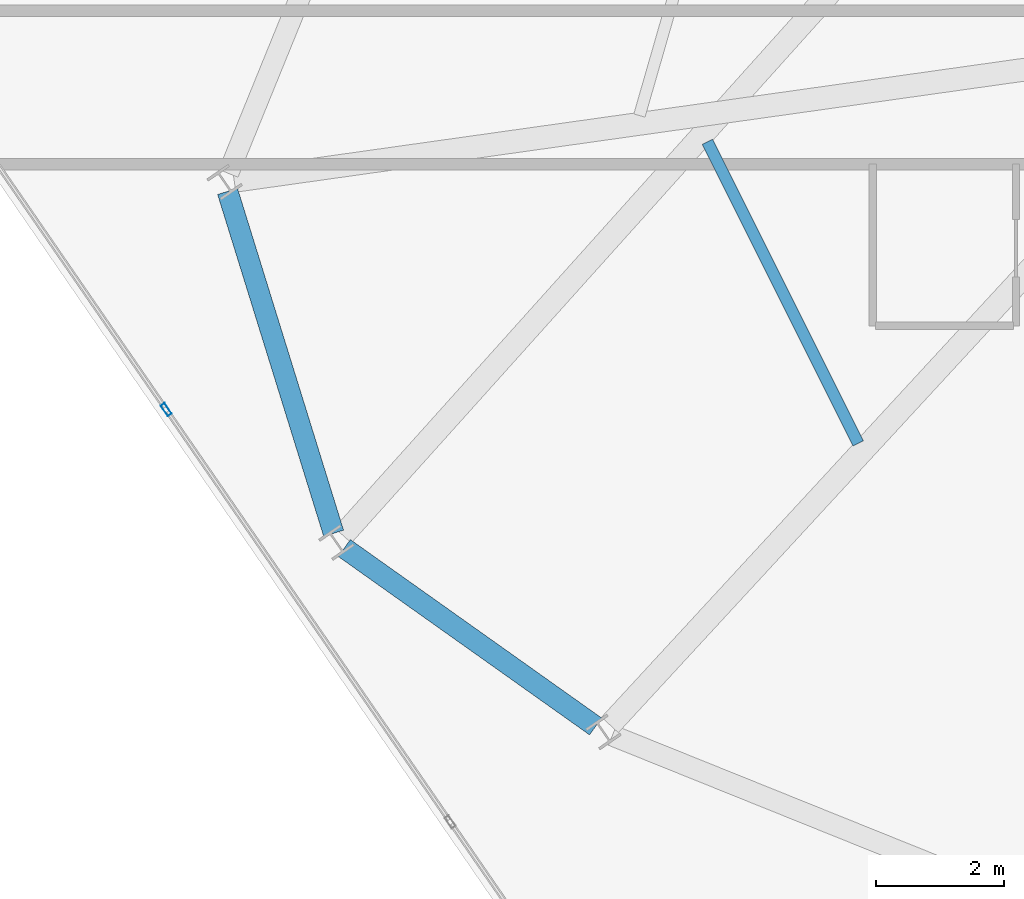
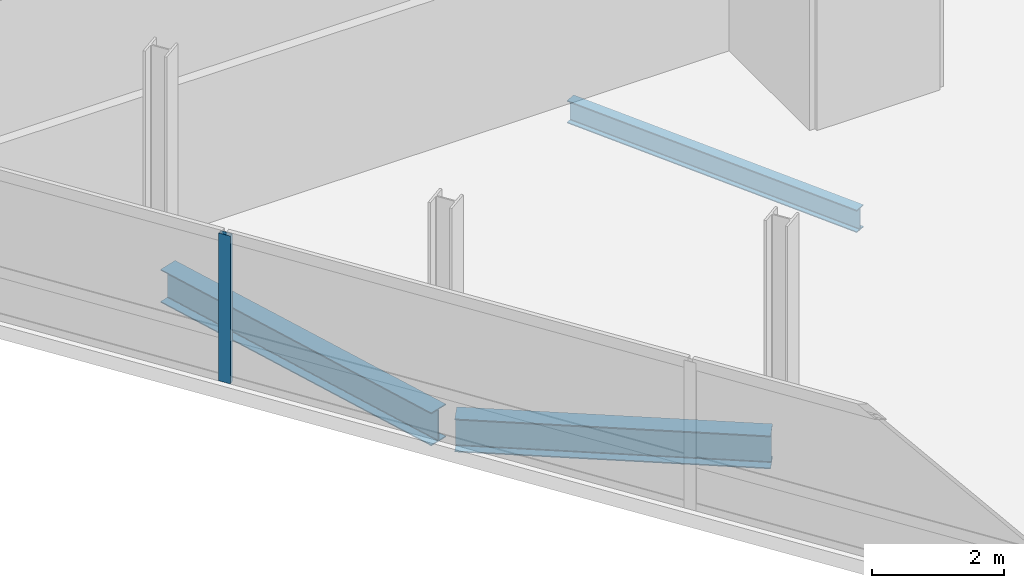
# One storey, part 5 of 21: 3 beams, 1 member, 1 element without a shape of its own.
"""IFC4 building model written with IfcOpenShell, lengths in metres."""

from ifc_helpers import new_model, si_unit, direction, frame, origin, origin_2d, place, context, subcontext, project, spatial, hollow_rectangle, i_section, extrude, material, layer, layer_set, material_profile, profile_set, type_object, element, aggregate, save


model = new_model("IFC4")

# Units and contexts
model_context = context("Model", 3, precision=1e-05, world=origin(), true_north=direction((0.0, 1.0)))
body_context = subcontext(model_context, "Body", "Model", "MODEL_VIEW")
ifc_project = project(units=[si_unit("LENGTHUNIT", "METRE"), si_unit("AREAUNIT", "SQUARE_METRE"), si_unit("VOLUMEUNIT", "CUBIC_METRE"), si_unit("PLANEANGLEUNIT", "RADIAN"), si_unit("MASSUNIT", "GRAM", prefix="KILO")], contexts=[model_context])

# Site, building, storey
site_placement = place(None, origin())
site = spatial("IfcSite", under=ifc_project, at=site_placement, CompositionType="ELEMENT")
building_placement = place(site_placement, origin())
building = spatial("IfcBuilding", under=site, at=building_placement, Name="Varnelok Gate Tower", CompositionType="ELEMENT")
storey_placement = place(building_placement, frame((0.0, 0.0, 276.699951171875)))
storey = spatial("IfcBuildingStorey", under=building, at=storey_placement, Name="L71", CompositionType="ELEMENT", Elevation=276.699951171875)

# Beams
ifc_material_1 = material(Name="Structural Steel ASTM A992 Grade 50", Category="steel")
ifc_material_profile_1 = material_profile(ifc_material_1, i_section(OverallWidth=0.180908203125, OverallDepth=0.4169921875, WebThickness=0.010986328125, FlangeThickness=0.018310546875, FilletRadius=0.013916015625, at=origin_2d()), Name="W16X57")
ifc_profile_set_1 = profile_set([ifc_material_profile_1], Name="Structural Steel ASTM A992 Grade 50")
beam_type_1 = type_object("IfcBeamType", Name="BM-JST-W16X57", PredefinedType="JOIST", material=ifc_profile_set_1)
beam_1_placement = place(storey_placement, frame((16.063720703125, 17.198974609375, -0.45849609375), z_axis=(0.447269375471, -0.89439929884, 0.0), x_axis=(0.89439929884, 0.447269375471, 0.0)))
element("IfcBeam", 1, at=beam_1_placement, inside=storey, type_object=beam_type_1, Name="L71 Sector Floor Joist 14", PredefinedType="JOIST", context=body_context, shape_type="SweptSolid", body=[
    extrude(i_section(OverallWidth=0.180908203125, OverallDepth=0.4169921875, WebThickness=0.010986328125, FlangeThickness=0.018310546875, FilletRadius=0.013916015625, at=origin_2d()), origin(), (0.0, 0.0, 1.0), 5.252197265625),
])
ifc_material_profile_2 = material_profile(ifc_material_1, i_section(OverallWidth=0.323974609375, OverallDepth=0.611083984375, WebThickness=0.0126953125, FlangeThickness=0.01904296875, FilletRadius=0.01806640625, at=origin_2d()), Name="W24X104")
ifc_profile_set_2 = profile_set([ifc_material_profile_2], Name="Structural Steel ASTM A992 Grade 50")
beam_type_2 = type_object("IfcBeamType", Name="BM-SPN-W24X104", PredefinedType="SPANDREL", material=ifc_profile_set_2)
beam_2_placement = place(storey_placement, frame((8.587646484375, 16.42529296875, -0.555419921875), z_axis=(0.296300068239, -0.955094900814, 0.0), x_axis=(0.955094900814, 0.296300068239, 0.0)))
element("IfcBeam", 2, at=beam_2_placement, inside=storey, type_object=beam_type_2, Name="L71 Perimeter Spandrel Beam 14", PredefinedType="SPANDREL", context=body_context, shape_type="SweptSolid", body=[
    extrude(i_section(OverallWidth=0.323974609375, OverallDepth=0.611083984375, WebThickness=0.0126953125, FlangeThickness=0.01904296875, FilletRadius=0.01806640625, at=origin_2d()), origin(), (0.0, 0.0, 1.0), 5.57666015625),
])
beam_3_placement = place(storey_placement, frame((10.40673828125, 10.868896484375, -0.555419921875), z_axis=(0.815431243688, -0.57885394256, 0.0), x_axis=(0.57885394256, 0.815431243688, 0.0)))
element("IfcBeam", 3, at=beam_3_placement, inside=storey, type_object=beam_type_2, Name="L71 Perimeter Spandrel Beam 15", PredefinedType="SPANDREL", context=body_context, shape_type="SweptSolid", body=[
    extrude(i_section(OverallWidth=0.323974609375, OverallDepth=0.611083984375, WebThickness=0.0126953125, FlangeThickness=0.01904296875, FilletRadius=0.01806640625, at=origin_2d()), origin(), (0.0, 0.0, 1.0), 4.7998046875),
])

# Curtain wall, member
ifc_material_2 = material(Name="Anodized Aluminum Alloy 6063-T6", Category="aluminium")
ifc_layer = layer(ifc_material_2, 0.179931640625)
ifc_layer_set = layer_set([ifc_layer], Name="Anodized Aluminum Alloy 6063-T6")
curtain_wall_type = type_object("IfcCurtainWallType", Name="CW4-RESIDENCE-VISION", PredefinedType="USERDEFINED", material=ifc_layer_set)
curtain_wall_placement = place(storey_placement, origin())
curtain_wall = element("IfcCurtainWall", 4, at=curtain_wall_placement, inside=storey, type_object=curtain_wall_type, Name="L71 West End Vision Curtain Wall", ObjectType="UNITISED CURTAIN WALL", PredefinedType="USERDEFINED")
ifc_material_profile_3 = material_profile(ifc_material_2, hollow_rectangle(XDim=0.074951171875, YDim=0.199951171875, WallThickness=0.00390625, at=origin_2d()), Name="ALU200X75X4")
ifc_profile_set_3 = profile_set([ifc_material_profile_3], Name="Anodized Aluminum Alloy 6063-T6")
member_type = type_object("IfcMemberType", Name="CW-MULL-200", PredefinedType="MULLION", material=ifc_profile_set_3)
member_placement = place(storey_placement, frame((7.631591796875, 13.0263671875, 0.0), z_axis=(0.0, 0.0, 1.0), x_axis=(-0.823532290241, -0.567269395376, 0.0)))
member = element("IfcMember", 5, at=member_placement, type_object=member_type, Name="CW4 mullion 4", PredefinedType="MULLION", context=body_context, shape_type="SweptSolid", body=[
    extrude(hollow_rectangle(XDim=0.074951171875, YDim=0.199951171875, WallThickness=0.00390625, at=origin_2d()), origin(), (0.0, 0.0, 1.0), 2.72998046875),
])
aggregate(curtain_wall, [member])

save(model, "model.ifc")
